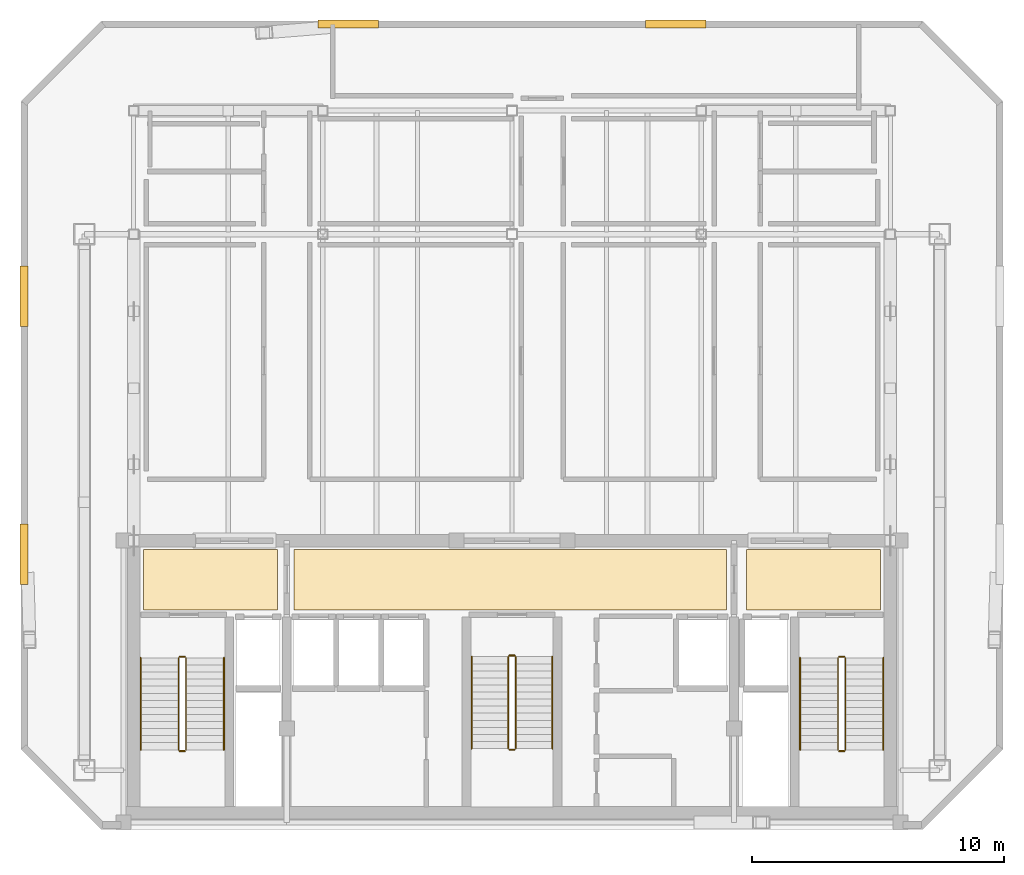
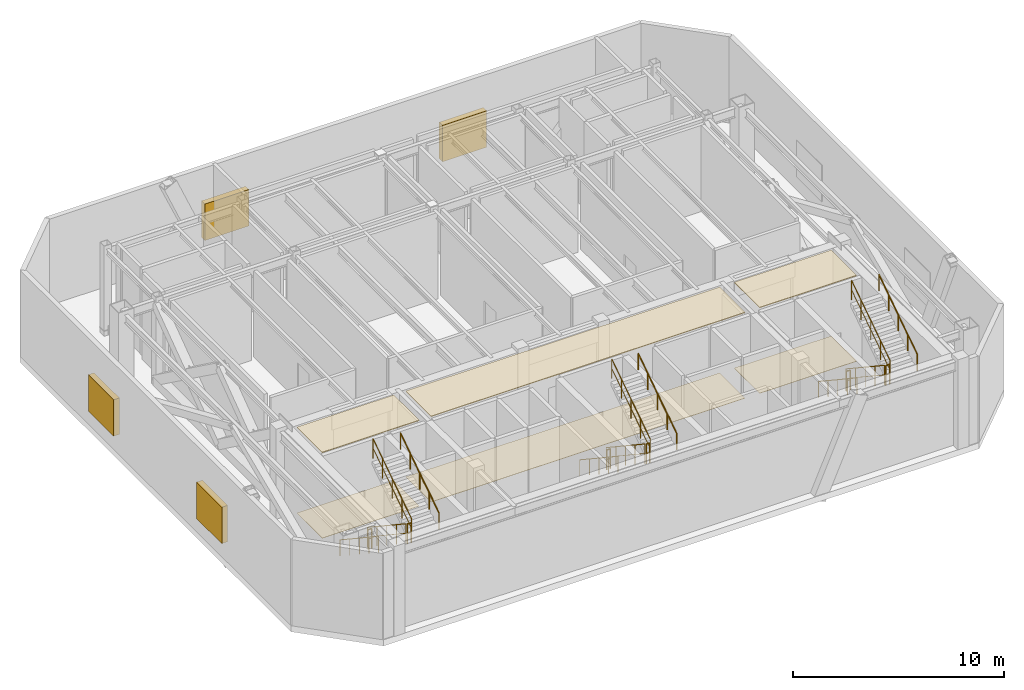
# One storey, part 6 of 7: 18 railings, 6 coverings, 4 shading devices.
"""IFC4 building model written with IfcOpenShell, lengths in metres."""

from ifc_helpers import new_model, si_unit, direction, frame, origin, origin_2d, place, context, subcontext, project, spatial, polyline, rectangle, circle, outline, extrude, material, layer, layer_set, type_object, element, save


model = new_model("IFC4")

# Units and contexts
model_context = context("Model", 3, precision=1e-05, world=origin(), true_north=direction((0.0, 1.0)))
body_context = subcontext(model_context, "Body", "Model", "MODEL_VIEW")
ifc_project = project(units=[si_unit("LENGTHUNIT", "METRE"), si_unit("AREAUNIT", "SQUARE_METRE"), si_unit("VOLUMEUNIT", "CUBIC_METRE"), si_unit("PLANEANGLEUNIT", "RADIAN"), si_unit("MASSUNIT", "GRAM", prefix="KILO")], contexts=[model_context])

# Site, building, storey
site_placement = place(None, origin())
site = spatial("IfcSite", under=ifc_project, at=site_placement, CompositionType="ELEMENT")
building_placement = place(site_placement, origin())
building = spatial("IfcBuilding", under=site, at=building_placement, Name="Ventersveld Concourse Tower", CompositionType="ELEMENT")
storey_placement = place(building_placement, frame((0.0, 0.0, 332.300048828125)))
storey = spatial("IfcBuildingStorey", under=building, at=storey_placement, Name="L82", CompositionType="ELEMENT", Elevation=332.300048828125)

# Coverings
ifc_material_1 = material(Name="Mineral-fibre acoustic ceiling tile", Category="gypsum")
ifc_layer_1 = layer(ifc_material_1, 0.0400390625)
ifc_layer_set_1 = layer_set([ifc_layer_1], Name="Mineral-fibre acoustic ceiling tile")
covering_type_1 = type_object("IfcCoveringType", Name="COV-CEIL-ACOUSTIC", PredefinedType="CEILING", material=ifc_layer_set_1)
covering_1_placement = place(storey_placement, frame((0.0, 0.0, 4.93994140625)))
element("IfcCovering", 1, at=covering_1_placement, inside=storey, type_object=covering_type_1, Name="L82 North Lift Lobby Acoustic Ceiling", PredefinedType="CEILING", context=body_context, shape_type="SweptSolid", body=[
    extrude(outline(polyline([(20.10009765625, 8.699951171875), (37.25, 8.699951171875), (37.25, 11.10009765625), (20.10009765625, 11.10009765625), (20.10009765625, 8.699951171875)])), origin(), (0.0, 0.0, 1.0), 0.0400390625),
])
covering_2_placement = place(storey_placement, frame((0.0, 0.0, 4.93994140625)))
element("IfcCovering", 2, at=covering_2_placement, inside=storey, type_object=covering_type_1, Name="L82 West Firefighting Lobby Acoustic Ceiling", PredefinedType="CEILING", context=body_context, shape_type="SweptSolid", body=[
    extrude(outline(polyline([(14.14990234375, 8.699951171875), (19.449951171875, 8.699951171875), (19.449951171875, 11.10009765625), (14.14990234375, 11.10009765625), (14.14990234375, 8.699951171875)])), origin(), (0.0, 0.0, 1.0), 0.0400390625),
])
covering_3_placement = place(storey_placement, frame((0.0, 0.0, 4.93994140625)))
element("IfcCovering", 3, at=covering_3_placement, inside=storey, type_object=covering_type_1, Name="L82 East Firefighting Lobby Acoustic Ceiling", PredefinedType="CEILING", context=body_context, shape_type="SweptSolid", body=[
    extrude(outline(polyline([(38.050048828125, 8.699951171875), (43.35009765625, 8.699951171875), (43.35009765625, 11.10009765625), (38.050048828125, 11.10009765625), (38.050048828125, 8.699951171875)])), origin(), (0.0, 0.0, 1.0), 0.0400390625),
])
ifc_material_2 = material(Name="Polished Highveld granite terrazzo", Category="masonry")
ifc_layer_2 = layer(ifc_material_2, 0.02001953125)
ifc_layer_set_2 = layer_set([ifc_layer_2], Name="Polished Highveld granite terrazzo")
covering_type_2 = type_object("IfcCoveringType", Name="COV-FLOOR-TERRAZZO", PredefinedType="FLOORING", material=ifc_layer_set_2)
covering_4_placement = place(storey_placement, origin())
element("IfcCovering", 4, at=covering_4_placement, inside=storey, type_object=covering_type_2, Name="L82 North Lift Lobby Terrazzo Flooring", PredefinedType="FLOORING", context=body_context, shape_type="SweptSolid", body=[
    extrude(outline(polyline([(20.10009765625, 8.699951171875), (37.25, 8.699951171875), (37.25, 11.10009765625), (20.10009765625, 11.10009765625), (20.10009765625, 8.699951171875)])), origin(), (0.0, 0.0, 1.0), 0.02001953125),
])
covering_5_placement = place(storey_placement, origin())
element("IfcCovering", 5, at=covering_5_placement, inside=storey, type_object=covering_type_2, Name="L82 West Firefighting Lobby Terrazzo Flooring", PredefinedType="FLOORING", context=body_context, shape_type="SweptSolid", body=[
    extrude(outline(polyline([(14.14990234375, 8.699951171875), (19.449951171875, 8.699951171875), (19.449951171875, 11.10009765625), (14.14990234375, 11.10009765625), (14.14990234375, 8.699951171875)])), origin(), (0.0, 0.0, 1.0), 0.02001953125),
])
covering_6_placement = place(storey_placement, origin())
element("IfcCovering", 6, at=covering_6_placement, inside=storey, type_object=covering_type_2, Name="L82 East Firefighting Lobby Terrazzo Flooring", PredefinedType="FLOORING", context=body_context, shape_type="SweptSolid", body=[
    extrude(outline(polyline([(38.050048828125, 8.699951171875), (43.35009765625, 8.699951171875), (43.35009765625, 11.10009765625), (38.050048828125, 11.10009765625), (38.050048828125, 8.699951171875)])), origin(), (0.0, 0.0, 1.0), 0.02001953125),
])

# Railings
ifc_material_3 = material(Name="Brushed stainless steel 316", Category="steel")
railing_type_1 = type_object("IfcRailingType", Name="GD-BAL-115", PredefinedType="GUARDRAIL", material=ifc_material_3)
railing_1_placement = place(storey_placement, frame((15.530029296875, 6.800048828125, 0.185546875)))
element("IfcRailing", 7, at=railing_1_placement, inside=storey, type_object=railing_type_1, Name="L82 ST-01 stair guard 1", PredefinedType="GUARDRAIL", context=body_context, shape_type="SweptSolid", body=[
    extrude(circle(Radius=0.02392578125, at=origin_2d()), frame((0.0, 0.0, 1.1259765625), z_axis=(0.0, -0.833363587613, 0.552725185641), x_axis=(1.0, 0.0, 0.0)), (0.0, 0.0, 1.0), 4.367919921875),
    extrude(circle(Radius=0.01611328125, at=origin_2d()), frame((0.0, 0.0, 0.574951171875), z_axis=(0.0, -0.833363587613, 0.552725185641), x_axis=(1.0, 0.0, 0.0)), (0.0, 0.0, 1.0), 4.367919921875),
    extrude(circle(Radius=0.02099609375, at=origin_2d()), origin(), (0.0, 0.0, 1.0), 1.101806640625),
    extrude(circle(Radius=0.02099609375, at=origin_2d()), frame((0.0, -0.91015625, 0.603515625)), (0.0, 0.0, 1.0), 1.101806640625),
    extrude(circle(Radius=0.02099609375, at=origin_2d()), frame((0.0, -1.820068359375, 1.20703125)), (0.0, 0.0, 1.0), 1.101806640625),
    extrude(circle(Radius=0.02099609375, at=origin_2d()), frame((0.0, -2.72998046875, 1.810791015625)), (0.0, 0.0, 1.0), 1.101806640625),
    extrude(circle(Radius=0.02099609375, at=origin_2d()), frame((0.0, -3.64013671875, 2.414306640625)), (0.0, 0.0, 1.0), 1.101806640625),
])
railing_2_placement = place(storey_placement, frame((15.580078125, 3.110107421875, 2.599853515625)))
element("IfcRailing", 8, at=railing_2_placement, inside=storey, type_object=railing_type_1, Name="L82 ST-01 stair guard 2", PredefinedType="GUARDRAIL", context=body_context, shape_type="SweptSolid", body=[
    extrude(circle(Radius=0.02392578125, at=origin_2d()), frame((0.0, 0.0, 1.1259765625), z_axis=(1.0, 0.0, 0.0), x_axis=(0.0, 1.0, 0.0)), (0.0, 0.0, 1.0), 0.199951171875),
    extrude(circle(Radius=0.01611328125, at=origin_2d()), frame((0.0, 0.0, 0.574951171875), z_axis=(1.0, 0.0, 0.0), x_axis=(0.0, 1.0, 0.0)), (0.0, 0.0, 1.0), 0.199951171875),
    extrude(circle(Radius=0.02099609375, at=origin_2d()), origin(), (0.0, 0.0, 1.0), 1.101806640625),
    extrude(circle(Radius=0.02099609375, at=origin_2d()), frame((0.199951171875, 0.0, 0.0)), (0.0, 0.0, 1.0), 1.101806640625),
])
railing_3_placement = place(storey_placement, frame((15.830078125, 3.159912109375, 2.78564453125)))
element("IfcRailing", 9, at=railing_3_placement, inside=storey, type_object=railing_type_1, Name="L82 ST-01 stair guard 3", PredefinedType="GUARDRAIL", context=body_context, shape_type="SweptSolid", body=[
    extrude(circle(Radius=0.02392578125, at=origin_2d()), frame((0.0, 0.0, 1.1259765625), z_axis=(0.0, 0.833363587613, 0.552725185641), x_axis=(-1.0, 0.0, 0.0)), (0.0, 0.0, 1.0), 4.367919921875),
    extrude(circle(Radius=0.01611328125, at=origin_2d()), frame((0.0, 0.0, 0.574951171875), z_axis=(0.0, 0.833363587613, 0.552725185641), x_axis=(-1.0, 0.0, 0.0)), (0.0, 0.0, 1.0), 4.367919921875),
    extrude(circle(Radius=0.02099609375, at=origin_2d()), origin(), (0.0, 0.0, 1.0), 1.101806640625),
    extrude(circle(Radius=0.02099609375, at=origin_2d()), frame((0.0, 0.91015625, 0.603515625)), (0.0, 0.0, 1.0), 1.101806640625),
    extrude(circle(Radius=0.02099609375, at=origin_2d()), frame((0.0, 1.820068359375, 1.20703125)), (0.0, 0.0, 1.0), 1.101806640625),
    extrude(circle(Radius=0.02099609375, at=origin_2d()), frame((0.0, 2.72998046875, 1.810791015625)), (0.0, 0.0, 1.0), 1.101806640625),
    extrude(circle(Radius=0.02099609375, at=origin_2d()), frame((0.0, 3.64013671875, 2.414306640625)), (0.0, 0.0, 1.0), 1.101806640625),
])
railing_4_placement = place(storey_placement, frame((15.580078125, 6.85009765625, 0.0)))
element("IfcRailing", 10, at=railing_4_placement, inside=storey, type_object=railing_type_1, Name="L82 ST-01 stair guard 4", PredefinedType="GUARDRAIL", context=body_context, shape_type="SweptSolid", body=[
    extrude(circle(Radius=0.02392578125, at=origin_2d()), frame((0.0, 0.0, 1.1259765625), z_axis=(1.0, 0.0, 0.0), x_axis=(0.0, 1.0, 0.0)), (0.0, 0.0, 1.0), 0.199951171875),
    extrude(circle(Radius=0.01611328125, at=origin_2d()), frame((0.0, 0.0, 0.574951171875), z_axis=(1.0, 0.0, 0.0), x_axis=(0.0, 1.0, 0.0)), (0.0, 0.0, 1.0), 0.199951171875),
    extrude(circle(Radius=0.02099609375, at=origin_2d()), origin(), (0.0, 0.0, 1.0), 1.101806640625),
    extrude(circle(Radius=0.02099609375, at=origin_2d()), frame((0.199951171875, 0.0, 0.0)), (0.0, 0.0, 1.0), 1.101806640625),
])
railing_5_placement = place(storey_placement, frame((41.669921875, 6.800048828125, 0.185546875)))
element("IfcRailing", 11, at=railing_5_placement, inside=storey, type_object=railing_type_1, Name="L82 ST-02 stair guard 1", PredefinedType="GUARDRAIL", context=body_context, shape_type="SweptSolid", body=[
    extrude(circle(Radius=0.02392578125, at=origin_2d()), frame((0.0, 0.0, 1.1259765625), z_axis=(0.0, -0.833363587613, 0.552725185641), x_axis=(1.0, 0.0, 0.0)), (0.0, 0.0, 1.0), 4.367919921875),
    extrude(circle(Radius=0.01611328125, at=origin_2d()), frame((0.0, 0.0, 0.574951171875), z_axis=(0.0, -0.833363587613, 0.552725185641), x_axis=(1.0, 0.0, 0.0)), (0.0, 0.0, 1.0), 4.367919921875),
    extrude(circle(Radius=0.02099609375, at=origin_2d()), origin(), (0.0, 0.0, 1.0), 1.101806640625),
    extrude(circle(Radius=0.02099609375, at=origin_2d()), frame((0.0, -0.91015625, 0.603515625)), (0.0, 0.0, 1.0), 1.101806640625),
    extrude(circle(Radius=0.02099609375, at=origin_2d()), frame((0.0, -1.820068359375, 1.20703125)), (0.0, 0.0, 1.0), 1.101806640625),
    extrude(circle(Radius=0.02099609375, at=origin_2d()), frame((0.0, -2.72998046875, 1.810791015625)), (0.0, 0.0, 1.0), 1.101806640625),
    extrude(circle(Radius=0.02099609375, at=origin_2d()), frame((0.0, -3.64013671875, 2.414306640625)), (0.0, 0.0, 1.0), 1.101806640625),
])
railing_6_placement = place(storey_placement, frame((41.719970703125, 3.110107421875, 2.599853515625)))
element("IfcRailing", 12, at=railing_6_placement, inside=storey, type_object=railing_type_1, Name="L82 ST-02 stair guard 2", PredefinedType="GUARDRAIL", context=body_context, shape_type="SweptSolid", body=[
    extrude(circle(Radius=0.02392578125, at=origin_2d()), frame((0.0, 0.0, 1.1259765625), z_axis=(1.0, 0.0, 0.0), x_axis=(0.0, 1.0, 0.0)), (0.0, 0.0, 1.0), 0.199951171875),
    extrude(circle(Radius=0.01611328125, at=origin_2d()), frame((0.0, 0.0, 0.574951171875), z_axis=(1.0, 0.0, 0.0), x_axis=(0.0, 1.0, 0.0)), (0.0, 0.0, 1.0), 0.199951171875),
    extrude(circle(Radius=0.02099609375, at=origin_2d()), origin(), (0.0, 0.0, 1.0), 1.101806640625),
    extrude(circle(Radius=0.02099609375, at=origin_2d()), frame((0.199951171875, 0.0, 0.0)), (0.0, 0.0, 1.0), 1.101806640625),
])
railing_7_placement = place(storey_placement, frame((41.969970703125, 3.159912109375, 2.78564453125)))
element("IfcRailing", 13, at=railing_7_placement, inside=storey, type_object=railing_type_1, Name="L82 ST-02 stair guard 3", PredefinedType="GUARDRAIL", context=body_context, shape_type="SweptSolid", body=[
    extrude(circle(Radius=0.02392578125, at=origin_2d()), frame((0.0, 0.0, 1.1259765625), z_axis=(0.0, 0.833363587613, 0.552725185641), x_axis=(-1.0, 0.0, 0.0)), (0.0, 0.0, 1.0), 4.367919921875),
    extrude(circle(Radius=0.01611328125, at=origin_2d()), frame((0.0, 0.0, 0.574951171875), z_axis=(0.0, 0.833363587613, 0.552725185641), x_axis=(-1.0, 0.0, 0.0)), (0.0, 0.0, 1.0), 4.367919921875),
    extrude(circle(Radius=0.02099609375, at=origin_2d()), origin(), (0.0, 0.0, 1.0), 1.101806640625),
    extrude(circle(Radius=0.02099609375, at=origin_2d()), frame((0.0, 0.91015625, 0.603515625)), (0.0, 0.0, 1.0), 1.101806640625),
    extrude(circle(Radius=0.02099609375, at=origin_2d()), frame((0.0, 1.820068359375, 1.20703125)), (0.0, 0.0, 1.0), 1.101806640625),
    extrude(circle(Radius=0.02099609375, at=origin_2d()), frame((0.0, 2.72998046875, 1.810791015625)), (0.0, 0.0, 1.0), 1.101806640625),
    extrude(circle(Radius=0.02099609375, at=origin_2d()), frame((0.0, 3.64013671875, 2.414306640625)), (0.0, 0.0, 1.0), 1.101806640625),
])
railing_8_placement = place(storey_placement, frame((41.719970703125, 6.85009765625, 0.0)))
element("IfcRailing", 14, at=railing_8_placement, inside=storey, type_object=railing_type_1, Name="L82 ST-02 stair guard 4", PredefinedType="GUARDRAIL", context=body_context, shape_type="SweptSolid", body=[
    extrude(circle(Radius=0.02392578125, at=origin_2d()), frame((0.0, 0.0, 1.1259765625), z_axis=(1.0, 0.0, 0.0), x_axis=(0.0, 1.0, 0.0)), (0.0, 0.0, 1.0), 0.199951171875),
    extrude(circle(Radius=0.01611328125, at=origin_2d()), frame((0.0, 0.0, 0.574951171875), z_axis=(1.0, 0.0, 0.0), x_axis=(0.0, 1.0, 0.0)), (0.0, 0.0, 1.0), 0.199951171875),
    extrude(circle(Radius=0.02099609375, at=origin_2d()), origin(), (0.0, 0.0, 1.0), 1.101806640625),
    extrude(circle(Radius=0.02099609375, at=origin_2d()), frame((0.199951171875, 0.0, 0.0)), (0.0, 0.0, 1.0), 1.101806640625),
])
railing_9_placement = place(storey_placement, frame((28.60009765625, 6.85009765625, 0.185546875)))
element("IfcRailing", 15, at=railing_9_placement, inside=storey, type_object=railing_type_1, Name="L82 ST-03 stair guard 1", PredefinedType="GUARDRAIL", context=body_context, shape_type="SweptSolid", body=[
    extrude(circle(Radius=0.02392578125, at=origin_2d()), frame((0.0, 0.0, 1.1259765625), z_axis=(0.0, -0.833363587613, 0.552725185641), x_axis=(1.0, 0.0, 0.0)), (0.0, 0.0, 1.0), 4.367919921875),
    extrude(circle(Radius=0.01611328125, at=origin_2d()), frame((0.0, 0.0, 0.574951171875), z_axis=(0.0, -0.833363587613, 0.552725185641), x_axis=(1.0, 0.0, 0.0)), (0.0, 0.0, 1.0), 4.367919921875),
    extrude(circle(Radius=0.02099609375, at=origin_2d()), origin(), (0.0, 0.0, 1.0), 1.101806640625),
    extrude(circle(Radius=0.02099609375, at=origin_2d()), frame((0.0, -0.91015625, 0.603515625)), (0.0, 0.0, 1.0), 1.101806640625),
    extrude(circle(Radius=0.02099609375, at=origin_2d()), frame((0.0, -1.820068359375, 1.20703125)), (0.0, 0.0, 1.0), 1.101806640625),
    extrude(circle(Radius=0.02099609375, at=origin_2d()), frame((0.0, -2.72998046875, 1.810791015625)), (0.0, 0.0, 1.0), 1.101806640625),
    extrude(circle(Radius=0.02099609375, at=origin_2d()), frame((0.0, -3.64013671875, 2.414306640625)), (0.0, 0.0, 1.0), 1.101806640625),
])
railing_10_placement = place(storey_placement, frame((28.64990234375, 3.159912109375, 2.599853515625)))
element("IfcRailing", 16, at=railing_10_placement, inside=storey, type_object=railing_type_1, Name="L82 ST-03 stair guard 2", PredefinedType="GUARDRAIL", context=body_context, shape_type="SweptSolid", body=[
    extrude(circle(Radius=0.02392578125, at=origin_2d()), frame((0.0, 0.0, 1.1259765625), z_axis=(1.0, 0.0, 0.0), x_axis=(0.0, 1.0, 0.0)), (0.0, 0.0, 1.0), 0.2001953125),
    extrude(circle(Radius=0.01611328125, at=origin_2d()), frame((0.0, 0.0, 0.574951171875), z_axis=(1.0, 0.0, 0.0), x_axis=(0.0, 1.0, 0.0)), (0.0, 0.0, 1.0), 0.2001953125),
    extrude(circle(Radius=0.02099609375, at=origin_2d()), origin(), (0.0, 0.0, 1.0), 1.101806640625),
    extrude(circle(Radius=0.02099609375, at=origin_2d()), frame((0.2001953125, 0.0, 0.0)), (0.0, 0.0, 1.0), 1.101806640625),
])
railing_11_placement = place(storey_placement, frame((28.89990234375, 3.2099609375, 2.78564453125)))
element("IfcRailing", 17, at=railing_11_placement, inside=storey, type_object=railing_type_1, Name="L82 ST-03 stair guard 3", PredefinedType="GUARDRAIL", context=body_context, shape_type="SweptSolid", body=[
    extrude(circle(Radius=0.02392578125, at=origin_2d()), frame((0.0, 0.0, 1.1259765625), z_axis=(0.0, 0.833363587613, 0.552725185641), x_axis=(-1.0, 0.0, 0.0)), (0.0, 0.0, 1.0), 4.367919921875),
    extrude(circle(Radius=0.01611328125, at=origin_2d()), frame((0.0, 0.0, 0.574951171875), z_axis=(0.0, 0.833363587613, 0.552725185641), x_axis=(-1.0, 0.0, 0.0)), (0.0, 0.0, 1.0), 4.367919921875),
    extrude(circle(Radius=0.02099609375, at=origin_2d()), origin(), (0.0, 0.0, 1.0), 1.101806640625),
    extrude(circle(Radius=0.02099609375, at=origin_2d()), frame((0.0, 0.91015625, 0.603515625)), (0.0, 0.0, 1.0), 1.101806640625),
    extrude(circle(Radius=0.02099609375, at=origin_2d()), frame((0.0, 1.820068359375, 1.20703125)), (0.0, 0.0, 1.0), 1.101806640625),
    extrude(circle(Radius=0.02099609375, at=origin_2d()), frame((0.0, 2.72998046875, 1.810791015625)), (0.0, 0.0, 1.0), 1.101806640625),
    extrude(circle(Radius=0.02099609375, at=origin_2d()), frame((0.0, 3.64013671875, 2.414306640625)), (0.0, 0.0, 1.0), 1.101806640625),
])
railing_12_placement = place(storey_placement, frame((28.64990234375, 6.89990234375, 0.0)))
element("IfcRailing", 18, at=railing_12_placement, inside=storey, type_object=railing_type_1, Name="L82 ST-03 stair guard 4", PredefinedType="GUARDRAIL", context=body_context, shape_type="SweptSolid", body=[
    extrude(circle(Radius=0.02392578125, at=origin_2d()), frame((0.0, 0.0, 1.1259765625), z_axis=(1.0, 0.0, 0.0), x_axis=(0.0, 1.0, 0.0)), (0.0, 0.0, 1.0), 0.2001953125),
    extrude(circle(Radius=0.01611328125, at=origin_2d()), frame((0.0, 0.0, 0.574951171875), z_axis=(1.0, 0.0, 0.0), x_axis=(0.0, 1.0, 0.0)), (0.0, 0.0, 1.0), 0.2001953125),
    extrude(circle(Radius=0.02099609375, at=origin_2d()), origin(), (0.0, 0.0, 1.0), 1.101806640625),
    extrude(circle(Radius=0.02099609375, at=origin_2d()), frame((0.2001953125, 0.0, 0.0)), (0.0, 0.0, 1.0), 1.101806640625),
])
railing_type_2 = type_object("IfcRailingType", Name="HR-RMP-095", PredefinedType="HANDRAIL", material=ifc_material_3)
railing_13_placement = place(storey_placement, frame((14.030029296875, 6.800048828125, 0.185546875)))
element("IfcRailing", 19, at=railing_13_placement, inside=storey, type_object=railing_type_2, Name="L82 ST-01 stair handrail 1", PredefinedType="HANDRAIL", context=body_context, shape_type="SweptSolid", body=[
    extrude(circle(Radius=0.02392578125, at=origin_2d()), frame((0.0, 0.0, 0.92578125), z_axis=(0.0, -0.833363587613, 0.552725185641), x_axis=(1.0, 0.0, 0.0)), (0.0, 0.0, 1.0), 4.367919921875),
    extrude(circle(Radius=0.02099609375, at=origin_2d()), origin(), (0.0, 0.0, 1.0), 0.90185546875),
    extrude(circle(Radius=0.02099609375, at=origin_2d()), frame((0.0, -0.91015625, 0.603515625)), (0.0, 0.0, 1.0), 0.90185546875),
    extrude(circle(Radius=0.02099609375, at=origin_2d()), frame((0.0, -1.820068359375, 1.20703125)), (0.0, 0.0, 1.0), 0.90185546875),
    extrude(circle(Radius=0.02099609375, at=origin_2d()), frame((0.0, -2.72998046875, 1.810791015625)), (0.0, 0.0, 1.0), 0.90185546875),
    extrude(circle(Radius=0.02099609375, at=origin_2d()), frame((0.0, -3.64013671875, 2.414306640625)), (0.0, 0.0, 1.0), 0.90185546875),
])
railing_14_placement = place(storey_placement, frame((17.330078125, 3.159912109375, 2.78564453125)))
element("IfcRailing", 20, at=railing_14_placement, inside=storey, type_object=railing_type_2, Name="L82 ST-01 stair handrail 2", PredefinedType="HANDRAIL", context=body_context, shape_type="SweptSolid", body=[
    extrude(circle(Radius=0.02392578125, at=origin_2d()), frame((0.0, 0.0, 0.92578125), z_axis=(0.0, 0.833363587613, 0.552725185641), x_axis=(-1.0, 0.0, 0.0)), (0.0, 0.0, 1.0), 4.367919921875),
    extrude(circle(Radius=0.02099609375, at=origin_2d()), origin(), (0.0, 0.0, 1.0), 0.90185546875),
    extrude(circle(Radius=0.02099609375, at=origin_2d()), frame((0.0, 0.91015625, 0.603515625)), (0.0, 0.0, 1.0), 0.90185546875),
    extrude(circle(Radius=0.02099609375, at=origin_2d()), frame((0.0, 1.820068359375, 1.20703125)), (0.0, 0.0, 1.0), 0.90185546875),
    extrude(circle(Radius=0.02099609375, at=origin_2d()), frame((0.0, 2.72998046875, 1.810791015625)), (0.0, 0.0, 1.0), 0.90185546875),
    extrude(circle(Radius=0.02099609375, at=origin_2d()), frame((0.0, 3.64013671875, 2.414306640625)), (0.0, 0.0, 1.0), 0.90185546875),
])
railing_15_placement = place(storey_placement, frame((40.169921875, 6.800048828125, 0.185546875)))
element("IfcRailing", 21, at=railing_15_placement, inside=storey, type_object=railing_type_2, Name="L82 ST-02 stair handrail 1", PredefinedType="HANDRAIL", context=body_context, shape_type="SweptSolid", body=[
    extrude(circle(Radius=0.02392578125, at=origin_2d()), frame((0.0, 0.0, 0.92578125), z_axis=(0.0, -0.833363587613, 0.552725185641), x_axis=(1.0, 0.0, 0.0)), (0.0, 0.0, 1.0), 4.367919921875),
    extrude(circle(Radius=0.02099609375, at=origin_2d()), origin(), (0.0, 0.0, 1.0), 0.90185546875),
    extrude(circle(Radius=0.02099609375, at=origin_2d()), frame((0.0, -0.91015625, 0.603515625)), (0.0, 0.0, 1.0), 0.90185546875),
    extrude(circle(Radius=0.02099609375, at=origin_2d()), frame((0.0, -1.820068359375, 1.20703125)), (0.0, 0.0, 1.0), 0.90185546875),
    extrude(circle(Radius=0.02099609375, at=origin_2d()), frame((0.0, -2.72998046875, 1.810791015625)), (0.0, 0.0, 1.0), 0.90185546875),
    extrude(circle(Radius=0.02099609375, at=origin_2d()), frame((0.0, -3.64013671875, 2.414306640625)), (0.0, 0.0, 1.0), 0.90185546875),
])
railing_16_placement = place(storey_placement, frame((43.469970703125, 3.159912109375, 2.78564453125)))
element("IfcRailing", 22, at=railing_16_placement, inside=storey, type_object=railing_type_2, Name="L82 ST-02 stair handrail 2", PredefinedType="HANDRAIL", context=body_context, shape_type="SweptSolid", body=[
    extrude(circle(Radius=0.02392578125, at=origin_2d()), frame((0.0, 0.0, 0.92578125), z_axis=(0.0, 0.833363587613, 0.552725185641), x_axis=(-1.0, 0.0, 0.0)), (0.0, 0.0, 1.0), 4.367919921875),
    extrude(circle(Radius=0.02099609375, at=origin_2d()), origin(), (0.0, 0.0, 1.0), 0.90185546875),
    extrude(circle(Radius=0.02099609375, at=origin_2d()), frame((0.0, 0.91015625, 0.603515625)), (0.0, 0.0, 1.0), 0.90185546875),
    extrude(circle(Radius=0.02099609375, at=origin_2d()), frame((0.0, 1.820068359375, 1.20703125)), (0.0, 0.0, 1.0), 0.90185546875),
    extrude(circle(Radius=0.02099609375, at=origin_2d()), frame((0.0, 2.72998046875, 1.810791015625)), (0.0, 0.0, 1.0), 0.90185546875),
    extrude(circle(Radius=0.02099609375, at=origin_2d()), frame((0.0, 3.64013671875, 2.414306640625)), (0.0, 0.0, 1.0), 0.90185546875),
])
railing_17_placement = place(storey_placement, frame((27.14990234375, 6.85009765625, 0.185546875)))
element("IfcRailing", 23, at=railing_17_placement, inside=storey, type_object=railing_type_2, Name="L82 ST-03 stair handrail 1", PredefinedType="HANDRAIL", context=body_context, shape_type="SweptSolid", body=[
    extrude(circle(Radius=0.02392578125, at=origin_2d()), frame((0.0, 0.0, 0.92578125), z_axis=(0.0, -0.833363587613, 0.552725185641), x_axis=(1.0, 0.0, 0.0)), (0.0, 0.0, 1.0), 4.367919921875),
    extrude(circle(Radius=0.02099609375, at=origin_2d()), origin(), (0.0, 0.0, 1.0), 0.90185546875),
    extrude(circle(Radius=0.02099609375, at=origin_2d()), frame((0.0, -0.91015625, 0.603515625)), (0.0, 0.0, 1.0), 0.90185546875),
    extrude(circle(Radius=0.02099609375, at=origin_2d()), frame((0.0, -1.820068359375, 1.20703125)), (0.0, 0.0, 1.0), 0.90185546875),
    extrude(circle(Radius=0.02099609375, at=origin_2d()), frame((0.0, -2.72998046875, 1.810791015625)), (0.0, 0.0, 1.0), 0.90185546875),
    extrude(circle(Radius=0.02099609375, at=origin_2d()), frame((0.0, -3.64013671875, 2.414306640625)), (0.0, 0.0, 1.0), 0.90185546875),
])
railing_18_placement = place(storey_placement, frame((30.35009765625, 3.2099609375, 2.78564453125)))
element("IfcRailing", 24, at=railing_18_placement, inside=storey, type_object=railing_type_2, Name="L82 ST-03 stair handrail 2", PredefinedType="HANDRAIL", context=body_context, shape_type="SweptSolid", body=[
    extrude(circle(Radius=0.02392578125, at=origin_2d()), frame((0.0, 0.0, 0.92578125), z_axis=(0.0, 0.833363587613, 0.552725185641), x_axis=(-1.0, 0.0, 0.0)), (0.0, 0.0, 1.0), 4.367919921875),
    extrude(circle(Radius=0.02099609375, at=origin_2d()), origin(), (0.0, 0.0, 1.0), 0.90185546875),
    extrude(circle(Radius=0.02099609375, at=origin_2d()), frame((0.0, 0.91015625, 0.603515625)), (0.0, 0.0, 1.0), 0.90185546875),
    extrude(circle(Radius=0.02099609375, at=origin_2d()), frame((0.0, 1.820068359375, 1.20703125)), (0.0, 0.0, 1.0), 0.90185546875),
    extrude(circle(Radius=0.02099609375, at=origin_2d()), frame((0.0, 2.72998046875, 1.810791015625)), (0.0, 0.0, 1.0), 0.90185546875),
    extrude(circle(Radius=0.02099609375, at=origin_2d()), frame((0.0, 3.64013671875, 2.414306640625)), (0.0, 0.0, 1.0), 0.90185546875),
])

# Shading devices
ifc_material_4 = material(Name="Anodised aluminium EN AW-6063-T6", Category="aluminium")
shading_device_type = type_object("IfcShadingDeviceType", Name="SHD-LOUVRE-300", PredefinedType="JALOUSIE", material=ifc_material_4)
for number, where, z_axis, x_axis, name in (
    (25, (35.2431640625, 31.929443359375, 0.7998046875), (0.0, 0.0, 1.0), (-1.0, 0.0, 0.0), "L82 Mechanical Plant Louvre N1"),
    (26, (22.2568359375, 31.929443359375, 0.7998046875), (0.0, 0.0, 1.0), (-1.0, 0.0, 0.0), "L82 Mechanical Plant Louvre N2"),
    (27, (9.4072265625, 21.1455078125, 0.7998046875), (0.0, 0.0, 1.0), (0.0, -1.0, 0.0), "L82 Mechanical Plant Louvre W1"),
    (28, (9.4072265625, 10.913818359375, 0.7998046875), (0.0, 0.0, 1.0), (0.0, -1.0, 0.0), "L82 Mechanical Plant Louvre W2"),
):
    element("IfcShadingDevice", number, at=place(storey_placement, frame(where, z_axis=z_axis, x_axis=x_axis)), inside=storey, type_object=shading_device_type, Name=name, PredefinedType="JALOUSIE", context=body_context, shape_type="SweptSolid", body=[
        extrude(rectangle(XDim=2.39990234375, YDim=0.320068359375, at=origin_2d()), origin(), (0.0, 0.0, 1.0), 2.10009765625),
    ])

save(model, "model.ifc")
